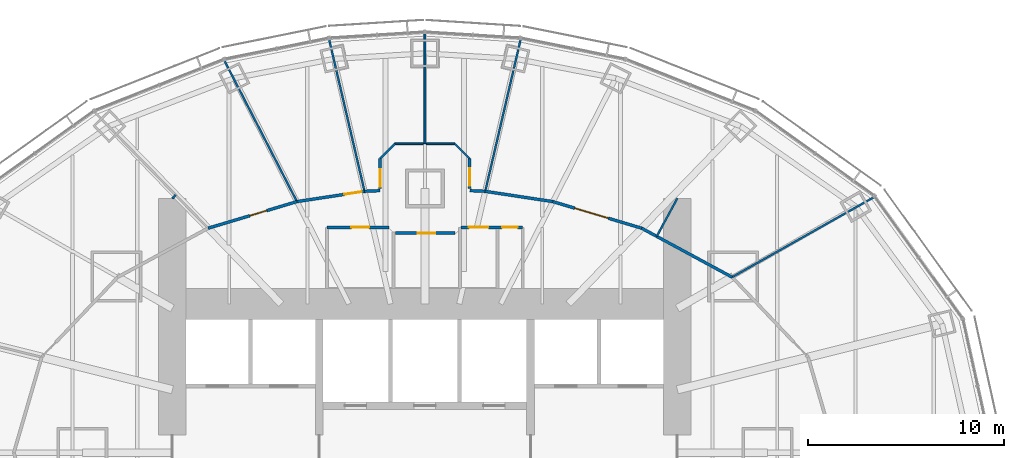
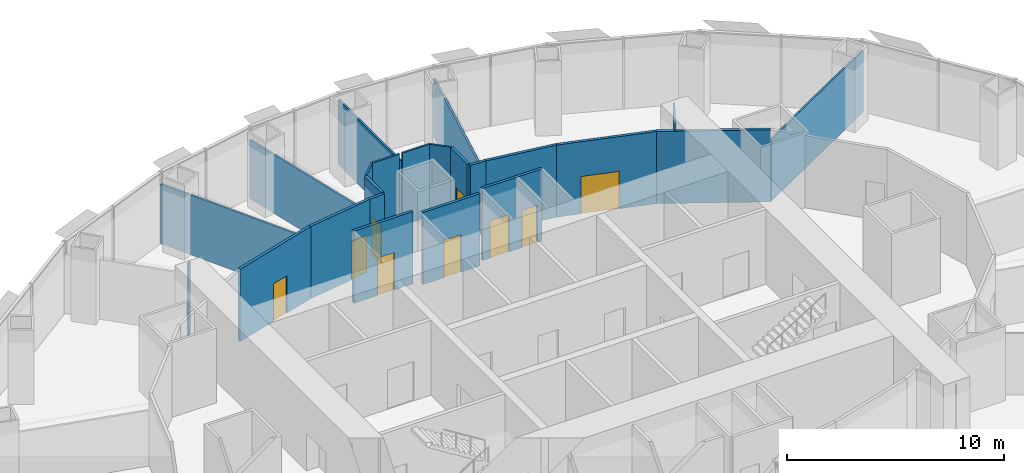
# One storey, part 13 of 18: 23 walls, 9 doors, 9 openings.
"""IFC4 building model written with IfcOpenShell, lengths in metres."""

import ifcopenshell
import ifcopenshell.guid

model = None  # the IFC model being written
_history = None  # IfcOwnerHistory: only IFC2X3 demands one
_inside = {}  # id of a spatial element -> (the spatial element, [elements in it])
_under = {}  # id of a project, library or spatial element -> (it, [spatial elements below it])
_declared = {}  # id of a project -> (the project, [libraries it declares])
_typed = {}  # id of a type object -> (the type object, [elements of that type])
_made_of = {}  # id of a material, layer set ... -> (it, [elements and type objects made of it])


def new_model(schema):
    """Start an empty IFC model of exactly this schema.

    Asked for "IFC4X3", IfcOpenShell would pick the latest addendum, in which some entities
    have other attributes; the version numbers below select the first issue.
    IFC2X3 requires an IfcOwnerHistory on every rooted entity: one is made here for all.
    """
    global model, _history
    if schema == "IFC4X3":
        model = ifcopenshell.file(schema_version=(4, 3, 0, 0))
    else:
        model = ifcopenshell.file(schema=schema)
    _inside.clear()
    _under.clear()
    _declared.clear()
    _typed.clear()
    _made_of.clear()
    _history = None
    if model.schema == "IFC2X3":
        org = make("IfcOrganization", Name="unknown")
        user = make(
            "IfcPersonAndOrganization",
            ThePerson=make("IfcPerson", FamilyName="unknown"),
            TheOrganization=org,
        )
        app = make(
            "IfcApplication",
            ApplicationDeveloper=org,
            Version="unknown",
            ApplicationFullName="unknown",
            ApplicationIdentifier="unknown",
        )
        _history = make(
            "IfcOwnerHistory",
            OwningUser=user,
            OwningApplication=app,
            ChangeAction="ADDED",
            CreationDate=0,
        )
    return model


def make(cls, **values):
    """One entity of the class cls with the attributes given. An attribute that is None is left unset."""
    return model.create_entity(
        cls, **{name: value for name, value in values.items() if value is not None}
    )


def rooted(cls, **values):
    """An entity with a GlobalId (a new one), such as an element, a storey or a relation."""
    return make(cls, GlobalId=ifcopenshell.guid.new(), OwnerHistory=_history, **values)


def si_unit(unit_type, name, prefix=None):
    """IfcSIUnit, for example si_unit("LENGTHUNIT", "METRE", prefix="MILLI")."""
    return make("IfcSIUnit", UnitType=unit_type, Prefix=prefix, Name=name)


def assignment(units):
    """IfcUnitAssignment: the units of a project."""
    return None if units is None else make("IfcUnitAssignment", Units=units)


def point(xyz):
    """IfcCartesianPoint."""
    return None if xyz is None else make("IfcCartesianPoint", Coordinates=xyz)


def direction(xyz):
    """IfcDirection."""
    return None if xyz is None else make("IfcDirection", DirectionRatios=xyz)


def frame(location, z_axis=None, x_axis=None):
    """IfcAxis2Placement3D, a coordinate frame: its origin and axes. An axis left out is left unset."""
    return make(
        "IfcAxis2Placement3D",
        Location=point(location),
        Axis=direction(z_axis),
        RefDirection=direction(x_axis),
    )


def frame_2d(location, x_axis=None):
    """IfcAxis2Placement2D, a coordinate frame in the plane: its origin and x axis."""
    return make(
        "IfcAxis2Placement2D", Location=point(location), RefDirection=direction(x_axis)
    )


def origin():
    """The frame at (0, 0, 0) with its axes left unset."""
    return frame((0.0, 0.0, 0.0))


def place(relative_to, where):
    """IfcLocalPlacement: puts the frame where relative to a parent placement (None: the world)."""
    return make(
        "IfcLocalPlacement", PlacementRelTo=relative_to, RelativePlacement=where
    )


def context(
    kind, dimensions, precision=None, world=None, true_north=None, identifier=None
):
    """IfcGeometricRepresentationContext, for example the 3D "Model" context."""
    return make(
        "IfcGeometricRepresentationContext",
        ContextIdentifier=identifier,
        ContextType=kind,
        CoordinateSpaceDimension=dimensions,
        Precision=precision,
        WorldCoordinateSystem=world,
        TrueNorth=true_north,
    )


def subcontext(parent, identifier, kind, view, scale=None):
    """IfcGeometricRepresentationSubContext, for example "Body" below "Model"."""
    return make(
        "IfcGeometricRepresentationSubContext",
        ContextIdentifier=identifier,
        ContextType=kind,
        ParentContext=parent,
        TargetScale=scale,
        TargetView=view,
    )


def project(units=None, contexts=None):
    """IfcProject with its units and contexts."""
    return rooted(
        "IfcProject",
        Name="project",
        RepresentationContexts=contexts,
        UnitsInContext=assignment(units),
    )


def spatial(cls, under=None, at=None, **own):
    """A site, building, storey or space (cls), placed at a placement, below another one or the project."""
    s = rooted(cls, ObjectPlacement=at, **own)
    if under is not None:
        _under.setdefault(under.id(), (under, []))[1].append(s)
    return s


def profile(cls, at=None, kind="AREA", **sizes):
    """A parametric profile (cls). Its sizes go by their IFC names, for example OverallWidth=200.0."""
    return make(cls, ProfileType=kind, Position=at, **sizes)


def rectangle(**sizes):
    """IfcRectangleProfileDef."""
    return profile("IfcRectangleProfileDef", **sizes)


def extrude(swept, where, along, depth):
    """IfcExtrudedAreaSolid: the profile swept, set in the frame where, extruded along a direction by depth."""
    return make(
        "IfcExtrudedAreaSolid",
        SweptArea=swept,
        Position=where,
        ExtrudedDirection=direction(along),
        Depth=depth,
    )


def shape(context_of_items, identifier, shape_type, items):
    """IfcShapeRepresentation: the items that make up one representation, for example the "Body"."""
    return make(
        "IfcShapeRepresentation",
        ContextOfItems=context_of_items,
        RepresentationIdentifier=identifier,
        RepresentationType=shape_type,
        Items=items,
    )


def material(Name=None, Category=None):
    """IfcMaterial."""
    return make("IfcMaterial", Name=Name, Category=Category)


def layer(
    of_material, thickness, ventilated=None, Name=None, Category=None, Priority=None
):
    """IfcMaterialLayer: one layer of a wall or slab, of a material (None: an air gap)."""
    return make(
        "IfcMaterialLayer",
        Material=of_material,
        LayerThickness=thickness,
        IsVentilated=ventilated,
        Name=Name,
        Category=Category,
        Priority=Priority,
    )


def layer_set(layers, Name=None):
    """IfcMaterialLayerSet."""
    return make("IfcMaterialLayerSet", MaterialLayers=layers, LayerSetName=Name)


def made_of(thing, what):
    """Note that an element or type object is made of a material, layer set ...; save() writes the relation."""
    if what is not None:
        _made_of.setdefault(what.id(), (what, []))[1].append(thing)
    return thing


def type_object(cls, material=None, **own):
    """A type object (cls), such as IfcWallType, which elements share."""
    return made_of(rooted(cls, **own), material)


def element(
    cls,
    number,
    at=None,
    inside=None,
    cuts=None,
    type_object=None,
    material=None,
    context=None,
    identifier="Body",
    shape_type=None,
    held_by="IfcProductDefinitionShape",
    body=None,
    shapes=None,
    **own,
):
    """One element of the class cls, such as IfcWall. Its Tag is "e" and its number.

    at: its placement. inside: the storey or other place that contains it. cuts: it is an
    opening in that element (IfcRelVoidsElement). A single representation is given by context,
    identifier, shape_type and body (its items); several are given by shapes. held_by: the class
    of the entity that holds the representations. save() writes the other relations.
    """
    e = rooted(cls, Tag="e%d" % number, ObjectPlacement=at, **own)
    if body is not None:
        shapes = [shape(context, identifier, shape_type, body)]
    if shapes is not None:
        e.Representation = make(held_by, Representations=shapes)
    if inside is not None:
        _inside.setdefault(inside.id(), (inside, []))[1].append(e)
    if cuts is not None:
        rooted(
            "IfcRelVoidsElement", RelatingBuildingElement=cuts, RelatedOpeningElement=e
        )
    if type_object is not None:
        _typed.setdefault(type_object.id(), (type_object, []))[1].append(e)
    return made_of(e, material)


def fill(opening, filler):
    """IfcRelFillsElement: the door or window that sits in an opening."""
    return rooted(
        "IfcRelFillsElement",
        RelatingOpeningElement=opening,
        RelatedBuildingElement=filler,
    )


def aggregate(whole, parts):
    """IfcRelAggregates: a whole, such as a stair, and the parts it consists of."""
    return rooted("IfcRelAggregates", RelatingObject=whole, RelatedObjects=parts)


def save(model, path):
    """Write the relations noted so far, then the file.

    IfcRelAggregates (storeys below a building ...), IfcRelContainedInSpatialStructure (elements
    in a storey), IfcRelDefinesByType, IfcRelAssociatesMaterial and IfcRelDeclares: one each for
    every whole, place, type object, material and project.
    """
    for whole, parts in _under.values():
        aggregate(whole, parts)
    for where, things in _inside.values():
        rooted(
            "IfcRelContainedInSpatialStructure",
            RelatedElements=things,
            RelatingStructure=where,
        )
    for kind, things in _typed.values():
        rooted("IfcRelDefinesByType", RelatedObjects=things, RelatingType=kind)
    for what, things in _made_of.values():
        rooted("IfcRelAssociatesMaterial", RelatedObjects=things, RelatingMaterial=what)
    for by, libraries in _declared.values():
        rooted("IfcRelDeclares", RelatingContext=by, RelatedDefinitions=libraries)
    model.write(path)


model = new_model("IFC4")

# Units and contexts
model_context = context("Model", 3, precision=1e-05, world=origin(), true_north=direction((0.0, 1.0)))
body_context = subcontext(model_context, "Body", "Model", "MODEL_VIEW")
ifc_project = project(units=[si_unit("LENGTHUNIT", "METRE"), si_unit("AREAUNIT", "SQUARE_METRE"), si_unit("VOLUMEUNIT", "CUBIC_METRE"), si_unit("PLANEANGLEUNIT", "RADIAN"), si_unit("MASSUNIT", "GRAM", prefix="KILO")], contexts=[model_context])

# Site, building, storey
site_placement = place(None, origin())
site = spatial("IfcSite", under=ifc_project, at=site_placement, CompositionType="ELEMENT")
building_placement = place(site_placement, origin())
building = spatial("IfcBuilding", under=site, at=building_placement, Name="Lantaw Convention Tower", CompositionType="ELEMENT")
storey_placement = place(building_placement, frame((0.0, 0.0, 146.800048828125)))
storey = spatial("IfcBuildingStorey", under=building, at=storey_placement, Name="L34", CompositionType="ELEMENT", Elevation=146.800048828125)

# Wall
ifc_material_1 = material(Name="Gypsum board on steel studs, fire rated", Category="steel")
ifc_layer_1 = layer(ifc_material_1, 0.14990234375)
ifc_layer_set_1 = layer_set([ifc_layer_1], Name="Corridor wall 150 EI 60")
wall_type_1 = type_object("IfcWallType", Name="Corridor wall 150 EI 60", PredefinedType="PARTITIONING", material=ifc_layer_set_1)
wall_1_placement = place(storey_placement, frame((15.695556640625, 8.968994140625, 0.0), z_axis=(0.0, 0.0, 1.0), x_axis=(-0.879436285334, 0.476016617397, 0.0)))
element("IfcWall", 1, at=wall_1_placement, inside=storey, type_object=wall_type_1, Name="Corridor wall 150", PredefinedType="PARTITIONING", context=body_context, shape_type="SweptSolid", body=[
    extrude(rectangle(XDim=5.2529296875, YDim=0.14990234375, at=frame_2d((2.62646484375, 0.0))), origin(), (0.0, 0.0, 1.0), 4.050048828125),
])

# Wall, opening, door
wall_2_placement = place(storey_placement, frame((11.075927734375, 11.469482421875, 0.0), z_axis=(0.0, 0.0, 1.0), x_axis=(-0.957933992798, 0.286988615527, 0.0)))
wall_2 = element("IfcWall", 2, at=wall_2_placement, inside=storey, type_object=wall_type_1, Name="Corridor wall 150", PredefinedType="PARTITIONING", context=body_context, shape_type="SweptSolid", body=[
    extrude(rectangle(XDim=4.73828125, YDim=0.14990234375, at=frame_2d((2.369140625, 0.0))), origin(), (0.0, 0.0, 1.0), 4.050048828125),
])
opening_1_placement = place(wall_2_placement, frame((1.773681640625, 0.0, 0.0)))
opening_1 = element("IfcOpeningElement", 3, at=opening_1_placement, cuts=wall_2, Name="Opening L34.23", PredefinedType="OPENING", context=body_context, shape_type="SweptSolid", body=[
    extrude(rectangle(XDim=1.800048828125, YDim=2.10009765625, at=frame_2d((0.89990234375, 1.050048828125))), frame((0.0, 0.0849609375, 0.0), z_axis=(0.0, -1.0, 0.0), x_axis=(1.0, 0.0, 0.0)), (0.0, 0.0, 1.0), 0.169921875),
])
ifc_material_2 = material(Name="Steel, fire rated", Category="steel")
door_type_1 = type_object("IfcDoorType", Name="Office double door 1800 FD30", OperationType="DOUBLE_DOOR_DOUBLE_SWING", PredefinedType="DOOR", material=ifc_material_2)
door_1_placement = place(opening_1_placement, origin())
door_1 = element("IfcDoor", 4, at=door_1_placement, inside=storey, type_object=door_type_1, Name="Boardroom door", OperationType="DOUBLE_DOOR_DOUBLE_SWING", OverallHeight=2.10009765625, OverallWidth=1.800048828125, PredefinedType="DOOR", context=body_context, shape_type="SweptSolid", body=[
    extrude(rectangle(XDim=1.800048828125, YDim=2.10009765625, at=frame_2d((0.89990234375, 1.050048828125))), frame((0.0, 0.02490234375, 0.0), z_axis=(0.0, -1.0, 0.0), x_axis=(1.0, 0.0, 0.0)), (0.0, 0.0, 1.0), 0.050048828125),
])
fill(opening_1, door_1)

# Wall
wall_3_placement = place(storey_placement, frame((6.536865234375, 12.829345703125, 0.0), z_axis=(0.0, 0.0, 1.0), x_axis=(-0.988668719464, 0.150113833987, 0.0)))
element("IfcWall", 5, at=wall_3_placement, inside=storey, type_object=wall_type_1, Name="Corridor wall 150", PredefinedType="PARTITIONING", context=body_context, shape_type="SweptSolid", body=[
    extrude(rectangle(XDim=3.493408203125, YDim=0.14990234375, at=frame_2d((1.74658203125, 0.0))), origin(), (0.0, 0.0, 1.0), 4.050048828125),
])

# Wall, opening, door
wall_4_placement = place(storey_placement, frame((-3.0830078125, 13.353759765625, 0.0), z_axis=(0.0, 0.0, 1.0), x_axis=(-0.988668719464, -0.150113833987, 0.0)))
wall_4 = element("IfcWall", 6, at=wall_4_placement, inside=storey, type_object=wall_type_1, Name="Corridor wall 150", PredefinedType="PARTITIONING", context=body_context, shape_type="SweptSolid", body=[
    extrude(rectangle(XDim=3.493408203125, YDim=0.14990234375, at=frame_2d((1.74658203125, 0.0))), origin(), (0.0, 0.0, 1.0), 4.050048828125),
])
opening_2_placement = place(wall_4_placement, frame((0.14990234375, 0.0, 0.0)))
opening_2 = element("IfcOpeningElement", 7, at=opening_2_placement, cuts=wall_4, Name="Opening L34.26", PredefinedType="OPENING", context=body_context, shape_type="SweptSolid", body=[
    extrude(rectangle(XDim=0.89990234375, YDim=2.10009765625, at=frame_2d((0.449951171875, 1.050048828125))), frame((0.0, 0.0849609375, 0.0), z_axis=(0.0, -1.0, 0.0), x_axis=(1.0, 0.0, 0.0)), (0.0, 0.0, 1.0), 0.169921875),
])
door_type_2 = type_object("IfcDoorType", Name="Office door 900 FD30", OperationType="SINGLE_SWING_LEFT", PredefinedType="DOOR", material=ifc_material_2)
door_2_placement = place(opening_2_placement, origin())
door_2 = element("IfcDoor", 8, at=door_2_placement, inside=storey, type_object=door_type_2, Name="Private office door", OperationType="SINGLE_SWING_LEFT", OverallHeight=2.10009765625, OverallWidth=0.89990234375, PredefinedType="DOOR", context=body_context, shape_type="SweptSolid", body=[
    extrude(rectangle(XDim=0.89990234375, YDim=2.10009765625, at=frame_2d((0.449951171875, 1.050048828125))), frame((0.0, 0.02490234375, 0.0), z_axis=(0.0, -1.0, 0.0), x_axis=(1.0, 0.0, 0.0)), (0.0, 0.0, 1.0), 0.050048828125),
])
fill(opening_2, door_2)

wall_5_placement = place(storey_placement, frame((-6.536865234375, 12.829345703125, 0.0), z_axis=(0.0, 0.0, 1.0), x_axis=(-0.957933992798, -0.286988615527, 0.0)))
wall_5 = element("IfcWall", 9, at=wall_5_placement, inside=storey, type_object=wall_type_1, Name="Corridor wall 150", PredefinedType="PARTITIONING", context=body_context, shape_type="SweptSolid", body=[
    extrude(rectangle(XDim=4.73828125, YDim=0.14990234375, at=frame_2d((2.369140625, 0.0))), origin(), (0.0, 0.0, 1.0), 4.050048828125),
])
opening_3_placement = place(wall_5_placement, frame((1.60693359375, 0.0, 0.0)))
opening_3 = element("IfcOpeningElement", 10, at=opening_3_placement, cuts=wall_5, Name="Opening L34.27", PredefinedType="OPENING", context=body_context, shape_type="SweptSolid", body=[
    extrude(rectangle(XDim=0.89990234375, YDim=2.10009765625, at=frame_2d((0.449951171875, 1.050048828125))), frame((0.0, 0.0849609375, 0.0), z_axis=(0.0, -1.0, 0.0), x_axis=(1.0, 0.0, 0.0)), (0.0, 0.0, 1.0), 0.169921875),
])
door_3_placement = place(opening_3_placement, origin())
door_3 = element("IfcDoor", 11, at=door_3_placement, inside=storey, type_object=door_type_2, Name="Private office door", OperationType="SINGLE_SWING_LEFT", OverallHeight=2.10009765625, OverallWidth=0.89990234375, PredefinedType="DOOR", context=body_context, shape_type="SweptSolid", body=[
    extrude(rectangle(XDim=0.89990234375, YDim=2.10009765625, at=frame_2d((0.449951171875, 1.050048828125))), frame((0.0, 0.02490234375, 0.0), z_axis=(0.0, -1.0, 0.0), x_axis=(1.0, 0.0, 0.0)), (0.0, 0.0, 1.0), 0.050048828125),
])
fill(opening_3, door_3)

# Walls
for number, where, z_axis, x_axis, name in (
    (12, (3.0830078125, 13.353759765625, 0.0), (0.0, 0.0, 1.0), (-0.998878614804, 0.04734461836, 0.0), "Corridor wall 150"),
    (13, (-2.294921875, 13.39111328125, 0.0), (0.0, 0.0, 1.0), (-0.998878614804, -0.04734461836, 0.0), "Corridor wall 150"),
):
    element("IfcWall", number, at=place(storey_placement, frame(where, z_axis=z_axis, x_axis=x_axis)), inside=storey, type_object=wall_type_1, Name=name, PredefinedType="PARTITIONING", context=body_context, shape_type="SweptSolid", body=[
        extrude(rectangle(XDim=0.7890625, YDim=0.14990234375, at=frame_2d((0.39453125, 0.0))), origin(), (0.0, 0.0, 1.0), 4.050048828125),
    ])

# Wall, opening, door
wall_6_placement = place(storey_placement, frame((2.284912109375, 15.0322265625, 0.0), z_axis=(0.0, 0.0, 1.0), x_axis=(0.0, -1.0, 0.0)))
wall_6 = element("IfcWall", 14, at=wall_6_placement, inside=storey, type_object=wall_type_1, Name="Corridor wall 150", PredefinedType="PARTITIONING", context=body_context, shape_type="SweptSolid", body=[
    extrude(rectangle(XDim=1.53955078125, YDim=0.14990234375, at=frame_2d((0.769775390625, 0.0))), origin(), (0.0, 0.0, 1.0), 4.050048828125),
])
opening_4_placement = place(wall_6_placement, frame((0.5, 0.0, 0.0)))
opening_4 = element("IfcOpeningElement", 15, at=opening_4_placement, cuts=wall_6, Name="Opening L34.24", PredefinedType="OPENING", context=body_context, shape_type="SweptSolid", body=[
    extrude(rectangle(XDim=0.89990234375, YDim=2.10009765625, at=frame_2d((0.449951171875, 1.050048828125))), frame((0.0, 0.0849609375, 0.0), z_axis=(0.0, -1.0, 0.0), x_axis=(1.0, 0.0, 0.0)), (0.0, 0.0, 1.0), 0.169921875),
])
door_4_placement = place(opening_4_placement, origin())
door_4 = element("IfcDoor", 16, at=door_4_placement, inside=storey, type_object=door_type_2, Name="Private office door", OperationType="SINGLE_SWING_LEFT", OverallHeight=2.10009765625, OverallWidth=0.89990234375, PredefinedType="DOOR", context=body_context, shape_type="SweptSolid", body=[
    extrude(rectangle(XDim=0.89990234375, YDim=2.10009765625, at=frame_2d((0.449951171875, 1.050048828125))), frame((0.0, 0.02490234375, 0.0), z_axis=(0.0, -1.0, 0.0), x_axis=(1.0, 0.0, 0.0)), (0.0, 0.0, 1.0), 0.050048828125),
])
fill(opening_4, door_4)

wall_7_placement = place(storey_placement, frame((-2.284912109375, 13.49267578125, 0.0), z_axis=(0.0, 0.0, 1.0), x_axis=(0.0, 1.0, 0.0)))
wall_7 = element("IfcWall", 17, at=wall_7_placement, inside=storey, type_object=wall_type_1, Name="Corridor wall 150", PredefinedType="PARTITIONING", context=body_context, shape_type="SweptSolid", body=[
    extrude(rectangle(XDim=1.53955078125, YDim=0.14990234375, at=frame_2d((0.769775390625, 0.0))), origin(), (0.0, 0.0, 1.0), 4.050048828125),
])
opening_5_placement = place(wall_7_placement, frame((0.10009765625, 0.0, 0.0)))
opening_5 = element("IfcOpeningElement", 18, at=opening_5_placement, cuts=wall_7, Name="Opening L34.25", PredefinedType="OPENING", context=body_context, shape_type="SweptSolid", body=[
    extrude(rectangle(XDim=0.89990234375, YDim=2.10009765625, at=frame_2d((0.449951171875, 1.050048828125))), frame((0.0, 0.0849609375, 0.0), z_axis=(0.0, -1.0, 0.0), x_axis=(1.0, 0.0, 0.0)), (0.0, 0.0, 1.0), 0.169921875),
])
door_5_placement = place(opening_5_placement, origin())
door_5 = element("IfcDoor", 19, at=door_5_placement, inside=storey, type_object=door_type_2, Name="Private office door", OperationType="SINGLE_SWING_LEFT", OverallHeight=2.10009765625, OverallWidth=0.89990234375, PredefinedType="DOOR", context=body_context, shape_type="SweptSolid", body=[
    extrude(rectangle(XDim=0.89990234375, YDim=2.10009765625, at=frame_2d((0.449951171875, 1.050048828125))), frame((0.0, 0.02490234375, 0.0), z_axis=(0.0, -1.0, 0.0), x_axis=(1.0, 0.0, 0.0)), (0.0, 0.0, 1.0), 0.050048828125),
])
fill(opening_5, door_5)

# Walls
ifc_material_3 = material(Name="Gypsum board on steel studs, acoustic", Category="steel")
ifc_layer_2 = layer(ifc_material_3, 0.10009765625)
ifc_layer_set_2 = layer_set([ifc_layer_2], Name="Office partition 100")
wall_type_2 = type_object("IfcWallType", Name="Office partition 100", PredefinedType="PARTITIONING", material=ifc_layer_set_2)
wall_8_placement = place(storey_placement, frame((22.94921875, 13.058837890625, 0.0), z_axis=(0.0, 0.0, 1.0), x_axis=(-0.871079462611, -0.491142107558, 0.0)))
element("IfcWall", 20, at=wall_8_placement, inside=storey, type_object=wall_type_2, Name="Office partition 100", PredefinedType="PARTITIONING", context=body_context, shape_type="SweptSolid", body=[
    extrude(rectangle(XDim=8.3271484375, YDim=0.10009765625, at=frame_2d((4.16357421875, 0.0))), origin(), (0.0, 0.0, 1.0), 3.450439453125),
])
for number, where, z_axis, x_axis, name in (
    (21, (4.89697265625, 21.134765625, 0.0), (0.0, 0.0, 1.0), (-0.227039313577, -0.973885593943, 0.0), "Office partition 100"),
    (22, (-4.89697265625, 21.134765625, 0.0), (0.0, 0.0, 1.0), (0.227039313577, -0.973885593943, 0.0), "Office partition 100"),
):
    element("IfcWall", number, at=place(storey_placement, frame(where, z_axis=z_axis, x_axis=x_axis)), inside=storey, type_object=wall_type_2, Name=name, PredefinedType="PARTITIONING", context=body_context, shape_type="SweptSolid", body=[
        extrude(rectangle(XDim=7.98974609375, YDim=0.10009765625, at=frame_2d((3.994873046875, 0.0))), origin(), (0.0, 0.0, 1.0), 3.29296875),
    ])
wall_9_placement = place(storey_placement, frame((-10.253173828125, 20.0517578125, 0.0), z_axis=(0.0, 0.0, 1.0), x_axis=(0.457535449567, -0.889191381194, 0.0)))
element("IfcWall", 23, at=wall_9_placement, inside=storey, type_object=wall_type_2, Name="Office partition 100", PredefinedType="PARTITIONING", context=body_context, shape_type="SweptSolid", body=[
    extrude(rectangle(XDim=8.12255859375, YDim=0.10009765625, at=frame_2d((4.061279296875, 0.0))), origin(), (0.0, 0.0, 1.0), 3.348876953125),
])
wall_10_placement = place(storey_placement, frame((12.89990234375, 13.0, 0.0), z_axis=(0.0, 0.0, 1.0), x_axis=(-0.475998959765, -0.879445842734, 0.0)))
element("IfcWall", 24, at=wall_10_placement, inside=storey, type_object=wall_type_2, Name="Office partition 100", PredefinedType="PARTITIONING", context=body_context, shape_type="SweptSolid", body=[
    extrude(rectangle(XDim=2.214111328125, YDim=0.10009765625, at=frame_2d((1.10693359375, 0.0))), origin(), (0.0, 0.0, 1.0), 4.050048828125),
])
wall_11_placement = place(storey_placement, frame((-12.89990234375, 13.0, 0.0), z_axis=(0.0, 0.0, 1.0), x_axis=(0.714845300066, 0.699282630253, 0.0)))
element("IfcWall", 25, at=wall_11_placement, inside=storey, type_object=wall_type_2, Name="Office partition 100", PredefinedType="PARTITIONING", context=body_context, shape_type="SweptSolid", body=[
    extrude(rectangle(XDim=0.2353515625, YDim=0.10009765625, at=frame_2d((0.11767578125, 0.0))), origin(), (0.0, 0.0, 1.0), 4.050048828125),
])
wall_12_placement = place(storey_placement, frame((0.0, 21.44482421875, 0.0), z_axis=(0.0, 0.0, 1.0), x_axis=(0.0, -1.0, 0.0)))
element("IfcWall", 26, at=wall_12_placement, inside=storey, type_object=wall_type_2, Name="Office partition 100", PredefinedType="PARTITIONING", context=body_context, shape_type="SweptSolid", body=[
    extrude(rectangle(XDim=5.64990234375, YDim=0.10009765625, at=frame_2d((2.824951171875, 0.0))), origin(), (0.0, 0.0, 1.0), 3.64599609375),
])
wall_13_placement = place(storey_placement, frame((0.078125, 15.784912109375, 0.0), z_axis=(0.0, 0.0, 1.0), x_axis=(1.0, 0.0, 0.0)))
element("IfcWall", 27, at=wall_13_placement, inside=storey, type_object=wall_type_2, Name="Office partition 100", PredefinedType="PARTITIONING", context=body_context, shape_type="SweptSolid", body=[
    extrude(rectangle(XDim=1.4541015625, YDim=0.10009765625, at=frame_2d((0.72705078125, 0.0))), origin(), (0.0, 0.0, 1.0), 4.050048828125),
])
for number, where, z_axis, x_axis, name in (
    (28, (1.5322265625, 15.784912109375, 0.0), (0.0, 0.0, 1.0), (0.707106781187, -0.707106781187, 0.0), "Office partition 100"),
    (29, (-2.284912109375, 15.0322265625, 0.0), (0.0, 0.0, 1.0), (0.707106781187, 0.707106781187, 0.0), "Office partition 100"),
):
    element("IfcWall", number, at=place(storey_placement, frame(where, z_axis=z_axis, x_axis=x_axis)), inside=storey, type_object=wall_type_2, Name=name, PredefinedType="PARTITIONING", context=body_context, shape_type="SweptSolid", body=[
        extrude(rectangle(XDim=1.064453125, YDim=0.10009765625, at=frame_2d((0.5322265625, 0.0))), origin(), (0.0, 0.0, 1.0), 4.050048828125),
    ])
wall_14_placement = place(storey_placement, frame((-1.5322265625, 15.784912109375, 0.0), z_axis=(0.0, 0.0, 1.0), x_axis=(1.0, 0.0, 0.0)))
element("IfcWall", 30, at=wall_14_placement, inside=storey, type_object=wall_type_2, Name="Office partition 100", PredefinedType="PARTITIONING", context=body_context, shape_type="SweptSolid", body=[
    extrude(rectangle(XDim=1.4541015625, YDim=0.10009765625, at=frame_2d((0.72705078125, 0.0))), origin(), (0.0, 0.0, 1.0), 4.050048828125),
])

# Wall, opening, door
ifc_material_4 = material(Name="Concrete blockwork", Category="masonry")
ifc_layer_3 = layer(ifc_material_4, 0.14990234375)
ifc_layer_set_3 = layer_set([ifc_layer_3], Name="WC wall 150")
wall_type_3 = type_object("IfcWallType", Name="WC wall 150", PredefinedType="SOLIDWALL", material=ifc_layer_set_3)
wall_15_placement = place(storey_placement, frame((-5.0, 11.511962890625, 0.0), z_axis=(0.0, 0.0, 1.0), x_axis=(1.0, 0.0, 0.0)))
wall_15 = element("IfcWall", 31, at=wall_15_placement, inside=storey, type_object=wall_type_3, Name="WC wall 150", PredefinedType="SOLIDWALL", context=body_context, shape_type="SweptSolid", body=[
    extrude(rectangle(XDim=3.156494140625, YDim=0.14990234375, at=frame_2d((1.578125, 0.0))), origin(), (0.0, 0.0, 1.0), 4.050048828125),
])
opening_6_placement = place(wall_15_placement, frame((1.25, 0.0, 0.0)))
opening_6 = element("IfcOpeningElement", 32, at=opening_6_placement, cuts=wall_15, Name="Opening L34.14", PredefinedType="OPENING", context=body_context, shape_type="SweptSolid", body=[
    extrude(rectangle(XDim=0.89990234375, YDim=2.10009765625, at=frame_2d((0.449951171875, 1.050048828125))), frame((0.0, 0.0849609375, 0.0), z_axis=(0.0, -1.0, 0.0), x_axis=(1.0, 0.0, 0.0)), (0.0, 0.0, 1.0), 0.169921875),
])
ifc_material_5 = material(Name="Timber", Category="wood")
door_type_3 = type_object("IfcDoorType", Name="WC door 900", OperationType="SINGLE_SWING_LEFT", PredefinedType="DOOR", material=ifc_material_5)
door_6_placement = place(opening_6_placement, origin())
door_6 = element("IfcDoor", 33, at=door_6_placement, inside=storey, type_object=door_type_3, Name="Female WC door", OperationType="SINGLE_SWING_LEFT", OverallHeight=2.10009765625, OverallWidth=0.89990234375, PredefinedType="DOOR", context=body_context, shape_type="SweptSolid", body=[
    extrude(rectangle(XDim=0.89990234375, YDim=2.10009765625, at=frame_2d((0.449951171875, 1.050048828125))), frame((0.0, 0.02490234375, 0.0), z_axis=(0.0, -1.0, 0.0), x_axis=(1.0, 0.0, 0.0)), (0.0, 0.0, 1.0), 0.050048828125),
])
fill(opening_6, door_6)

# Wall, openings, doors
wall_16_placement = place(storey_placement, frame((1.843505859375, 11.511962890625, 0.0), z_axis=(0.0, 0.0, 1.0), x_axis=(1.0, 0.0, 0.0)))
wall_16 = element("IfcWall", 34, at=wall_16_placement, inside=storey, type_object=wall_type_3, Name="WC wall 150", PredefinedType="SOLIDWALL", context=body_context, shape_type="SweptSolid", body=[
    extrude(rectangle(XDim=3.156494140625, YDim=0.14990234375, at=frame_2d((1.578125, 0.0))), origin(), (0.0, 0.0, 1.0), 4.050048828125),
])
opening_7_placement = place(wall_16_placement, frame((0.39990234375, 0.0, 0.0)))
opening_7 = element("IfcOpeningElement", 35, at=opening_7_placement, cuts=wall_16, Name="Opening L34.16", PredefinedType="OPENING", context=body_context, shape_type="SweptSolid", body=[
    extrude(rectangle(XDim=1.0, YDim=2.10009765625, at=frame_2d((0.5, 1.050048828125))), frame((0.0, 0.0849609375, 0.0), z_axis=(0.0, -1.0, 0.0), x_axis=(1.0, 0.0, 0.0)), (0.0, 0.0, 1.0), 0.169921875),
])
opening_8_placement = place(wall_16_placement, frame((2.10009765625, 0.0, 0.0)))
opening_8 = element("IfcOpeningElement", 36, at=opening_8_placement, cuts=wall_16, Name="Opening L34.17", PredefinedType="OPENING", context=body_context, shape_type="SweptSolid", body=[
    extrude(rectangle(XDim=0.800048828125, YDim=2.10009765625, at=frame_2d((0.39990234375, 1.050048828125))), frame((0.0, 0.0849609375, 0.0), z_axis=(0.0, -1.0, 0.0), x_axis=(1.0, 0.0, 0.0)), (0.0, 0.0, 1.0), 0.169921875),
])
door_type_4 = type_object("IfcDoorType", Name="Accessible WC door 1000", OperationType="SINGLE_SWING_LEFT", PredefinedType="DOOR", material=ifc_material_5)
door_7_placement = place(opening_7_placement, origin())
door_7 = element("IfcDoor", 37, at=door_7_placement, inside=storey, type_object=door_type_4, Name="Accessible WC door", OperationType="SINGLE_SWING_LEFT", OverallHeight=2.10009765625, OverallWidth=1.0, PredefinedType="DOOR", context=body_context, shape_type="SweptSolid", body=[
    extrude(rectangle(XDim=1.0, YDim=2.10009765625, at=frame_2d((0.5, 1.050048828125))), frame((0.0, 0.02490234375, 0.0), z_axis=(0.0, -1.0, 0.0), x_axis=(1.0, 0.0, 0.0)), (0.0, 0.0, 1.0), 0.050048828125),
])
fill(opening_7, door_7)
door_type_5 = type_object("IfcDoorType", Name="WC door 800", OperationType="SINGLE_SWING_LEFT", PredefinedType="DOOR", material=ifc_material_5)
door_8_placement = place(opening_8_placement, origin())
door_8 = element("IfcDoor", 38, at=door_8_placement, inside=storey, type_object=door_type_5, Name="Cleaner's store door", OperationType="SINGLE_SWING_LEFT", OverallHeight=2.10009765625, OverallWidth=0.800048828125, PredefinedType="DOOR", context=body_context, shape_type="SweptSolid", body=[
    extrude(rectangle(XDim=0.800048828125, YDim=2.10009765625, at=frame_2d((0.39990234375, 1.050048828125))), frame((0.0, 0.02490234375, 0.0), z_axis=(0.0, -1.0, 0.0), x_axis=(1.0, 0.0, 0.0)), (0.0, 0.0, 1.0), 0.050048828125),
])
fill(opening_8, door_8)

# Wall, opening, door
wall_17_placement = place(storey_placement, frame((1.5322265625, 11.215087890625, 0.0), z_axis=(0.0, 0.0, 1.0), x_axis=(-1.0, 0.0, 0.0)))
wall_17 = element("IfcWall", 39, at=wall_17_placement, inside=storey, type_object=wall_type_3, Name="WC wall 150", PredefinedType="SOLIDWALL", context=body_context, shape_type="SweptSolid", body=[
    extrude(rectangle(XDim=3.02734375, YDim=0.14990234375, at=frame_2d((1.513671875, 0.0))), origin(), (0.0, 0.0, 1.0), 4.050048828125),
])
opening_9_placement = place(wall_17_placement, frame((1.0, 0.0, 0.0)))
opening_9 = element("IfcOpeningElement", 40, at=opening_9_placement, cuts=wall_17, Name="Opening L34.15", PredefinedType="OPENING", context=body_context, shape_type="SweptSolid", body=[
    extrude(rectangle(XDim=0.89990234375, YDim=2.10009765625, at=frame_2d((0.449951171875, 1.050048828125))), frame((0.0, 0.0849609375, 0.0), z_axis=(0.0, -1.0, 0.0), x_axis=(1.0, 0.0, 0.0)), (0.0, 0.0, 1.0), 0.169921875),
])
door_9_placement = place(opening_9_placement, origin())
door_9 = element("IfcDoor", 41, at=door_9_placement, inside=storey, type_object=door_type_3, Name="Male WC door", OperationType="SINGLE_SWING_LEFT", OverallHeight=2.10009765625, OverallWidth=0.89990234375, PredefinedType="DOOR", context=body_context, shape_type="SweptSolid", body=[
    extrude(rectangle(XDim=0.89990234375, YDim=2.10009765625, at=frame_2d((0.449951171875, 1.050048828125))), frame((0.0, 0.02490234375, 0.0), z_axis=(0.0, -1.0, 0.0), x_axis=(1.0, 0.0, 0.0)), (0.0, 0.0, 1.0), 0.050048828125),
])
fill(opening_9, door_9)

save(model, "model.ifc")
